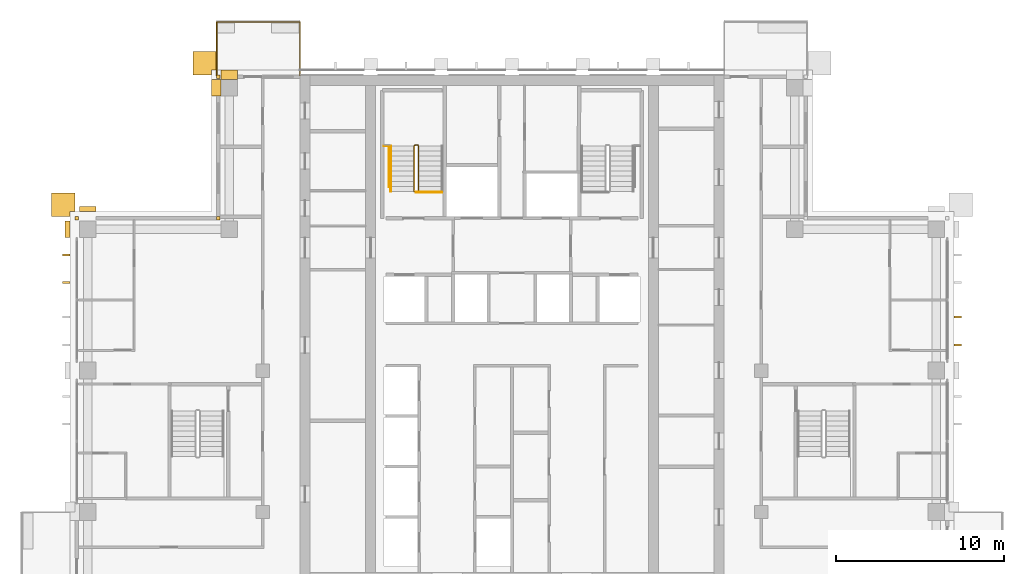
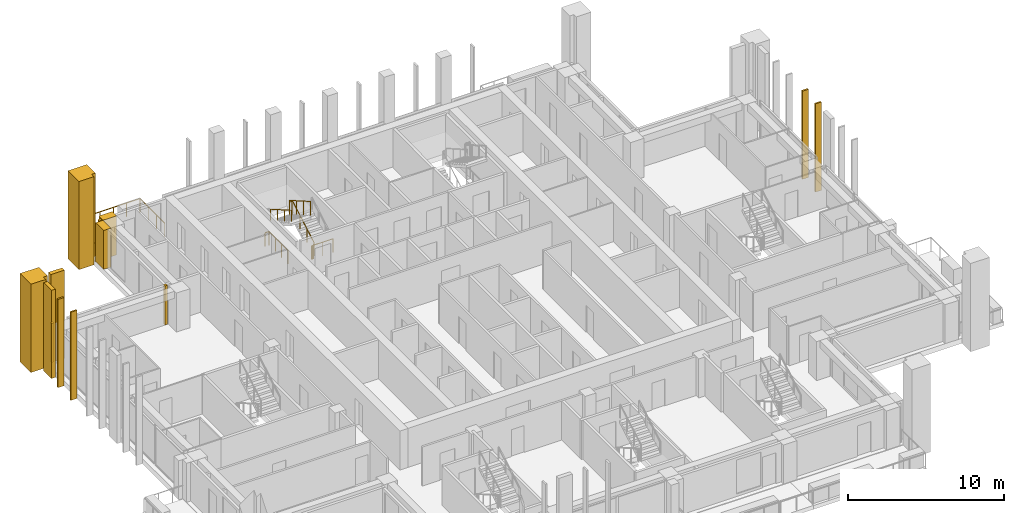
# One storey, part 17 of 18: 13 coverings, 5 railings.
"""IFC4 building model written with IfcOpenShell, lengths in metres."""

from ifc_helpers import new_model, si_unit, direction, frame, origin, origin_2d, place, context, subcontext, project, spatial, polyline, rectangle, outline, extrude, material, layer, layer_set, type_object, element, save


model = new_model("IFC4")

# Units and contexts
model_context = context("Model", 3, precision=1e-05, world=origin(), true_north=direction((0.0, 1.0)))
body_context = subcontext(model_context, "Body", "Model", "MODEL_VIEW")
ifc_project = project(units=[si_unit("LENGTHUNIT", "METRE"), si_unit("AREAUNIT", "SQUARE_METRE"), si_unit("VOLUMEUNIT", "CUBIC_METRE"), si_unit("PLANEANGLEUNIT", "RADIAN"), si_unit("MASSUNIT", "GRAM", prefix="KILO")], contexts=[model_context])

# Site, building, storey
site_placement = place(None, origin())
site = spatial("IfcSite", under=ifc_project, at=site_placement, CompositionType="ELEMENT")
building_placement = place(site_placement, origin())
building = spatial("IfcBuilding", under=site, at=building_placement, Name="Vermilion Ogive Tower", CompositionType="ELEMENT")
storey_placement = place(building_placement, frame((0.0, 0.0, 185.89990234375)))
storey = spatial("IfcBuildingStorey", under=building, at=storey_placement, Name="L48", CompositionType="ELEMENT", Elevation=185.89990234375)

# Railing
ifc_material_1 = material(Name="Stainless steel and glass", Category="steel")
railing_type_1 = type_object("IfcRailingType", Name="Balcony guard", PredefinedType="GUARDRAIL", material=ifc_material_1)
railing_1_placement = place(storey_placement, frame((-12.60009765625, 21.75, -0.039794921875)))
element("IfcRailing", 1, at=railing_1_placement, inside=storey, type_object=railing_type_1, Name="Guard N201", PredefinedType="GUARDRAIL", context=body_context, shape_type="SweptSolid", body=[
    extrude(rectangle(XDim=0.048095703125, YDim=0.048095703125, at=origin_2d()), frame((0.0, 0.0, 1.076171875), z_axis=(0.0, 1.0, 0.0), x_axis=(-1.0, 0.0, 0.0)), (0.0, 0.0, 1.0), 3.159912109375),
    extrude(rectangle(XDim=0.048095703125, YDim=0.048095703125, at=origin_2d()), frame((0.0, 3.159912109375, 1.076171875), z_axis=(-1.0, 0.0, 0.0), x_axis=(0.0, -1.0, 0.0)), (0.0, 0.0, 1.0), 4.949951171875),
    extrude(rectangle(XDim=0.048095703125, YDim=0.048095703125, at=origin_2d()), frame((-4.949951171875, 3.159912109375, 1.076171875), z_axis=(0.0, -1.0, 0.0), x_axis=(1.0, 0.0, 0.0)), (0.0, 0.0, 1.0), 3.159912109375),
    extrude(rectangle(XDim=0.0419921875, YDim=0.0419921875, at=origin_2d()), origin(), (0.0, 0.0, 1.0), 1.052001953125),
    extrude(rectangle(XDim=0.0419921875, YDim=0.0419921875, at=origin_2d()), frame((0.0, 1.05322265625, 0.0)), (0.0, 0.0, 1.0), 1.052001953125),
    extrude(rectangle(XDim=0.0419921875, YDim=0.0419921875, at=origin_2d()), frame((0.0, 2.106689453125, 0.0)), (0.0, 0.0, 1.0), 1.052001953125),
    extrude(rectangle(XDim=0.0419921875, YDim=0.0419921875, at=origin_2d()), frame((0.0, 3.159912109375, 0.0)), (0.0, 0.0, 1.0), 1.052001953125),
    extrude(rectangle(XDim=0.0419921875, YDim=0.0419921875, at=origin_2d()), frame((-0.989990234375, 3.159912109375, 0.0)), (0.0, 0.0, 1.0), 1.052001953125),
    extrude(rectangle(XDim=0.0419921875, YDim=0.0419921875, at=origin_2d()), frame((-1.97998046875, 3.159912109375, 0.0)), (0.0, 0.0, 1.0), 1.052001953125),
    extrude(rectangle(XDim=0.0419921875, YDim=0.0419921875, at=origin_2d()), frame((-2.969970703125, 3.159912109375, 0.0)), (0.0, 0.0, 1.0), 1.052001953125),
    extrude(rectangle(XDim=0.0419921875, YDim=0.0419921875, at=origin_2d()), frame((-3.9599609375, 3.159912109375, 0.0)), (0.0, 0.0, 1.0), 1.052001953125),
    extrude(rectangle(XDim=0.0419921875, YDim=0.0419921875, at=origin_2d()), frame((-4.949951171875, 3.159912109375, 0.0)), (0.0, 0.0, 1.0), 1.052001953125),
    extrude(rectangle(XDim=0.0419921875, YDim=0.0419921875, at=origin_2d()), frame((-4.949951171875, 2.106689453125, 0.0)), (0.0, 0.0, 1.0), 1.052001953125),
    extrude(rectangle(XDim=0.0419921875, YDim=0.0419921875, at=origin_2d()), frame((-4.949951171875, 1.05322265625, 0.0)), (0.0, 0.0, 1.0), 1.052001953125),
    extrude(rectangle(XDim=0.0419921875, YDim=0.0419921875, at=origin_2d()), frame((-4.949951171875, 0.0, 0.0)), (0.0, 0.0, 1.0), 1.052001953125),
])

# Coverings
ifc_material_2 = material(Name="Glazed ceramic screen")
ifc_layer = layer(ifc_material_2, 0.14990234375)
ifc_layer_set = layer_set([ifc_layer], Name="Ceramic solar screen fin")
covering_type_1 = type_object("IfcCoveringType", Name="Ceramic solar screen fin", PredefinedType="CLADDING", material=ifc_layer_set)
covering_1_placement = place(storey_placement, frame((0.0, 0.0, -0.39990234375)))
element("IfcCovering", 2, at=covering_1_placement, inside=storey, type_object=covering_type_1, Name="Solar screen blade E011", PredefinedType="CLADDING", context=body_context, shape_type="SweptSolid", body=[
    extrude(outline(polyline([(26.699951171875, 5.6650390625), (26.699951171875, 5.784912109375), (26.25, 5.784912109375), (26.25, 5.6650390625), (26.699951171875, 5.6650390625)])), origin(), (0.0, 0.0, 1.0), 6.89990234375),
])
covering_2_placement = place(storey_placement, frame((0.0, 0.0, -0.39990234375)))
element("IfcCovering", 3, at=covering_2_placement, inside=storey, type_object=covering_type_1, Name="Solar screen blade E012", PredefinedType="CLADDING", context=body_context, shape_type="SweptSolid", body=[
    extrude(outline(polyline([(26.699951171875, 7.31494140625), (26.699951171875, 7.43505859375), (26.25, 7.43505859375), (26.25, 7.31494140625), (26.699951171875, 7.31494140625)])), origin(), (0.0, 0.0, 1.0), 6.89990234375),
])
covering_3_placement = place(storey_placement, frame((0.0, 0.0, -0.39990234375)))
element("IfcCovering", 4, at=covering_3_placement, inside=storey, type_object=covering_type_1, Name="Solar screen blade W021", PredefinedType="CLADDING", context=body_context, shape_type="SweptSolid", body=[
    extrude(outline(polyline([(-26.699951171875, 11.135009765625), (-26.699951171875, 11.014892578125), (-26.25, 11.014892578125), (-26.25, 11.135009765625), (-26.699951171875, 11.135009765625)])), origin(), (0.0, 0.0, 1.0), 6.89990234375),
])
covering_4_placement = place(storey_placement, frame((0.0, 0.0, -0.39990234375)))
element("IfcCovering", 5, at=covering_4_placement, inside=storey, type_object=covering_type_1, Name="Solar screen blade W022", PredefinedType="CLADDING", context=body_context, shape_type="SweptSolid", body=[
    extrude(outline(polyline([(-26.699951171875, 9.485107421875), (-26.699951171875, 9.364990234375), (-26.25, 9.364990234375), (-26.25, 9.485107421875), (-26.699951171875, 9.485107421875)])), origin(), (0.0, 0.0, 1.0), 6.89990234375),
])

# Railings
ifc_material_3 = material(Name="Steel S355 painted", Category="steel")
railing_type_2 = type_object("IfcRailingType", Name="Stair guard 1100", PredefinedType="GUARDRAIL", material=ifc_material_3)
railing_2_placement = place(storey_placement, frame((-5.75, 14.800048828125, 0.0)))
element("IfcRailing", 6, at=railing_2_placement, inside=storey, type_object=railing_type_2, Name="L48 ST1 stair guard 4", PredefinedType="GUARDRAIL", context=body_context, shape_type="SweptSolid", body=[
    extrude(rectangle(XDim=0.048095703125, YDim=0.048095703125, at=origin_2d()), frame((0.0, 0.0, 1.076171875), z_axis=(1.0, 0.0, 0.0), x_axis=(0.0, 1.0, 0.0)), (0.0, 0.0, 1.0), 0.14990234375),
    extrude(rectangle(XDim=0.048095703125, YDim=0.048095703125, at=origin_2d()), frame((0.14990234375, 0.0, 1.076171875), z_axis=(0.268277960024, 0.268277960024, 0.925231793839), x_axis=(-0.707106781187, 0.707106781187, 0.0)), (0.0, 0.0, 1.0), 0.1865234375),
    extrude(rectangle(XDim=0.048095703125, YDim=0.048095703125, at=origin_2d()), frame((0.199951171875, 0.050048828125, 1.24853515625), z_axis=(0.0, 0.866903762492, 0.498475542607), x_axis=(-1.0, 0.0, 0.0)), (0.0, 0.0, 1.0), 3.114501953125),
    extrude(rectangle(XDim=0.048095703125, YDim=0.048095703125, at=origin_2d()), frame((0.199951171875, 2.75, 2.80126953125), z_axis=(-0.707106781187, 0.707106781187, 0.0), x_axis=(-0.707106781187, -0.707106781187, 0.0)), (0.0, 0.0, 1.0), 0.07080078125),
    extrude(rectangle(XDim=0.048095703125, YDim=0.048095703125, at=origin_2d()), frame((0.14990234375, 2.800048828125, 2.80126953125), z_axis=(-1.0, 0.0, 0.0), x_axis=(0.0, -1.0, 0.0)), (0.0, 0.0, 1.0), 0.14990234375),
    extrude(rectangle(XDim=0.048095703125, YDim=0.048095703125, at=origin_2d()), frame((0.0, 2.800048828125, 2.80126953125), z_axis=(-0.268277960024, -0.268277960024, 0.925231793839), x_axis=(0.707106781187, -0.707106781187, 0.0)), (0.0, 0.0, 1.0), 0.1865234375),
    extrude(rectangle(XDim=0.048095703125, YDim=0.048095703125, at=origin_2d()), frame((-0.050048828125, 2.75, 2.9736328125), z_axis=(0.0, -0.866903762492, 0.498475542607), x_axis=(1.0, 0.0, 0.0)), (0.0, 0.0, 1.0), 3.114501953125),
    extrude(rectangle(XDim=0.0419921875, YDim=0.0419921875, at=origin_2d()), origin(), (0.0, 0.0, 1.0), 1.052001953125),
    extrude(rectangle(XDim=0.0419921875, YDim=0.0419921875, at=origin_2d()), frame((0.14990234375, 0.0, 0.0)), (0.0, 0.0, 1.0), 1.052001953125),
    extrude(rectangle(XDim=0.0419921875, YDim=0.0419921875, at=origin_2d()), frame((0.199951171875, 0.050048828125, 0.172607421875)), (0.0, 0.0, 1.0), 1.052001953125),
    extrude(rectangle(XDim=0.0419921875, YDim=0.0419921875, at=origin_2d()), frame((0.199951171875, 0.949951171875, 0.690185546875)), (0.0, 0.0, 1.0), 1.052001953125),
    extrude(rectangle(XDim=0.0419921875, YDim=0.0419921875, at=origin_2d()), frame((0.199951171875, 1.85009765625, 1.20751953125)), (0.0, 0.0, 1.0), 1.052001953125),
    extrude(rectangle(XDim=0.0419921875, YDim=0.0419921875, at=origin_2d()), frame((0.199951171875, 2.75, 1.72509765625)), (0.0, 0.0, 1.0), 1.052001953125),
    extrude(rectangle(XDim=0.0419921875, YDim=0.0419921875, at=origin_2d()), frame((0.14990234375, 2.800048828125, 1.72509765625)), (0.0, 0.0, 1.0), 1.052001953125),
    extrude(rectangle(XDim=0.0419921875, YDim=0.0419921875, at=origin_2d()), frame((0.0, 2.800048828125, 1.72509765625)), (0.0, 0.0, 1.0), 1.052001953125),
    extrude(rectangle(XDim=0.0419921875, YDim=0.0419921875, at=origin_2d()), frame((-0.050048828125, 2.75, 1.897705078125)), (0.0, 0.0, 1.0), 1.052001953125),
    extrude(rectangle(XDim=0.0419921875, YDim=0.0419921875, at=origin_2d()), frame((-0.050048828125, 1.85009765625, 2.415283203125)), (0.0, 0.0, 1.0), 1.052001953125),
    extrude(rectangle(XDim=0.0419921875, YDim=0.0419921875, at=origin_2d()), frame((-0.050048828125, 0.949951171875, 2.9326171875)), (0.0, 0.0, 1.0), 1.052001953125),
    extrude(rectangle(XDim=0.0419921875, YDim=0.0419921875, at=origin_2d()), frame((-0.050048828125, 0.050048828125, 3.4501953125)), (0.0, 0.0, 1.0), 1.052001953125),
])
railing_3_placement = place(storey_placement, frame((-4.159912109375, 14.7900390625, 0.0)))
element("IfcRailing", 7, at=railing_3_placement, inside=storey, type_object=railing_type_2, Name="L48 stair opening guard", PredefinedType="GUARDRAIL", context=body_context, shape_type="SweptSolid", body=[
    extrude(rectangle(XDim=0.048095703125, YDim=0.048095703125, at=origin_2d()), frame((0.0, 0.0, 1.076171875), z_axis=(-1.0, 0.0, 0.0), x_axis=(0.0, -1.0, 0.0)), (0.0, 0.0, 1.0), 1.5400390625),
    extrude(rectangle(XDim=0.0419921875, YDim=0.0419921875, at=origin_2d()), origin(), (0.0, 0.0, 1.0), 1.052001953125),
    extrude(rectangle(XDim=0.0419921875, YDim=0.0419921875, at=origin_2d()), frame((-0.77001953125, 0.0, 0.0)), (0.0, 0.0, 1.0), 1.052001953125),
    extrude(rectangle(XDim=0.0419921875, YDim=0.0419921875, at=origin_2d()), frame((-1.5400390625, 0.0, 0.0)), (0.0, 0.0, 1.0), 1.052001953125),
])
railing_4_placement = place(storey_placement, frame((-7.3095703125, 15.11865234375, 0.0)))
element("IfcRailing", 8, at=railing_4_placement, inside=storey, type_object=railing_type_2, Name="L48 stair opening guard", PredefinedType="GUARDRAIL", context=body_context, shape_type="SweptSolid", body=[
    extrude(rectangle(XDim=0.048095703125, YDim=0.048095703125, at=origin_2d()), frame((0.0, 0.0, 1.076171875), z_axis=(0.0, 1.0, 0.0), x_axis=(-1.0, 0.0, 0.0)), (0.0, 0.0, 1.0), 2.42431640625),
    extrude(rectangle(XDim=0.048095703125, YDim=0.048095703125, at=origin_2d()), frame((0.0, 2.42431640625, 1.076171875), z_axis=(-1.0, 0.0, 0.0), x_axis=(0.0, -1.0, 0.0)), (0.0, 0.0, 1.0), 0.2900390625),
    extrude(rectangle(XDim=0.0419921875, YDim=0.0419921875, at=origin_2d()), origin(), (0.0, 0.0, 1.0), 1.052001953125),
    extrude(rectangle(XDim=0.0419921875, YDim=0.0419921875, at=origin_2d()), frame((0.0, 0.80810546875, 0.0)), (0.0, 0.0, 1.0), 1.052001953125),
    extrude(rectangle(XDim=0.0419921875, YDim=0.0419921875, at=origin_2d()), frame((0.0, 1.6162109375, 0.0)), (0.0, 0.0, 1.0), 1.052001953125),
    extrude(rectangle(XDim=0.0419921875, YDim=0.0419921875, at=origin_2d()), frame((0.0, 2.42431640625, 0.0)), (0.0, 0.0, 1.0), 1.052001953125),
    extrude(rectangle(XDim=0.0419921875, YDim=0.0419921875, at=origin_2d()), frame((-0.2900390625, 2.42431640625, 0.0)), (0.0, 0.0, 1.0), 1.052001953125),
])
ifc_material_4 = material(Name="Stainless steel", Category="steel")
railing_type_3 = type_object("IfcRailingType", Name="Stair handrail 900", PredefinedType="HANDRAIL", material=ifc_material_4)
railing_5_placement = place(storey_placement, frame((-7.199951171875, 17.550048828125, 1.897705078125)))
element("IfcRailing", 9, at=railing_5_placement, inside=storey, type_object=railing_type_3, Name="L48 ST1 stair handrail 2", PredefinedType="HANDRAIL", context=body_context, shape_type="SweptSolid", body=[
    extrude(rectangle(XDim=0.048095703125, YDim=0.048095703125, at=origin_2d()), frame((0.0, 0.0, 0.8759765625), z_axis=(0.0, -0.866903762492, 0.498475542607), x_axis=(1.0, 0.0, 0.0)), (0.0, 0.0, 1.0), 3.114501953125),
    extrude(rectangle(XDim=0.0419921875, YDim=0.0419921875, at=origin_2d()), origin(), (0.0, 0.0, 1.0), 0.851806640625),
    extrude(rectangle(XDim=0.0419921875, YDim=0.0419921875, at=origin_2d()), frame((0.0, -0.89990234375, 0.517578125)), (0.0, 0.0, 1.0), 0.851806640625),
    extrude(rectangle(XDim=0.0419921875, YDim=0.0419921875, at=origin_2d()), frame((0.0, -1.800048828125, 1.034912109375)), (0.0, 0.0, 1.0), 0.851806640625),
    extrude(rectangle(XDim=0.0419921875, YDim=0.0419921875, at=origin_2d()), frame((0.0, -2.699951171875, 1.552490234375)), (0.0, 0.0, 1.0), 0.851806640625),
])

# Coverings
ifc_material_5 = material(Name="Stone cladding", Category="masonry")
covering_type_2 = type_object("IfcCoveringType", Name="Stone corner buttress", PredefinedType="CLADDING", material=ifc_material_5)
covering_5_placement = place(storey_placement, frame((0.0, 0.0, -0.39990234375)))
element("IfcCovering", 10, at=covering_5_placement, inside=storey, type_object=covering_type_2, Name="Stone corner buttress X51", PredefinedType="CLADDING", context=body_context, shape_type="SweptSolid", body=[
    extrude(outline(polyline([(-17.550048828125, 23.14990234375), (-17.550048828125, 22.050048828125), (-17.85009765625, 22.050048828125), (-17.85009765625, 21.75), (-18.949951171875, 21.75), (-18.949951171875, 23.14990234375), (-17.550048828125, 23.14990234375)])), origin(), (0.0, 0.0, 1.0), 6.89990234375),
])
covering_6_placement = place(storey_placement, frame((0.0, 0.0, -0.39990234375)))
element("IfcCovering", 11, at=covering_6_placement, inside=storey, type_object=covering_type_2, Name="Stone corner buttress W1", PredefinedType="CLADDING", context=body_context, shape_type="SweptSolid", body=[
    extrude(outline(polyline([(-25.949951171875, 13.64990234375), (-26.25, 13.64990234375), (-26.25, 13.35009765625), (-27.35009765625, 13.35009765625), (-27.35009765625, 14.75), (-25.949951171875, 14.75), (-25.949951171875, 13.64990234375)])), origin(), (0.0, 0.0, 1.0), 6.89990234375),
])
ifc_material_6 = material(Name="Stone cladding", Category="masonry")
covering_type_3 = type_object("IfcCoveringType", Name="Stone pier", PredefinedType="CLADDING", material=ifc_material_6)
covering_7_placement = place(storey_placement, origin())
element("IfcCovering", 12, at=covering_7_placement, inside=storey, type_object=covering_type_3, Name="Stone corner pier N2E1", PredefinedType="CLADDING", context=body_context, shape_type="SweptSolid", body=[
    extrude(outline(polyline([(-17.35009765625, 21.550048828125), (-17.550048828125, 21.550048828125), (-17.550048828125, 21.75), (-17.35009765625, 21.75), (-17.35009765625, 21.550048828125)])), origin(), (0.0, 0.0, 1.0), 3.050048828125),
])
covering_8_placement = place(storey_placement, origin())
element("IfcCovering", 13, at=covering_8_placement, inside=storey, type_object=covering_type_3, Name="Stone corner pier X5E1", PredefinedType="CLADDING", context=body_context, shape_type="SweptSolid", body=[
    extrude(outline(polyline([(-17.35009765625, 13.14990234375), (-17.550048828125, 13.14990234375), (-17.550048828125, 13.35009765625), (-17.35009765625, 13.35009765625), (-17.35009765625, 13.14990234375)])), origin(), (0.0, 0.0, 1.0), 3.050048828125),
])
covering_9_placement = place(storey_placement, origin())
element("IfcCovering", 14, at=covering_9_placement, inside=storey, type_object=covering_type_3, Name="Stone corner pier X6E1", PredefinedType="CLADDING", context=body_context, shape_type="SweptSolid", body=[
    extrude(outline(polyline([(-25.75, 13.14990234375), (-25.949951171875, 13.14990234375), (-25.949951171875, 13.35009765625), (-25.75, 13.35009765625), (-25.75, 13.14990234375)])), origin(), (0.0, 0.0, 1.0), 3.050048828125),
])
covering_10_placement = place(storey_placement, frame((0.0, 0.0, -0.39990234375)))
element("IfcCovering", 15, at=covering_10_placement, inside=storey, type_object=covering_type_3, Name="Stone pier P-0252+126X6", PredefinedType="CLADDING", context=body_context, shape_type="SweptSolid", body=[
    extrude(outline(polyline([(-25.699951171875, 13.949951171875), (-24.699951171875, 13.949951171875), (-24.699951171875, 13.64990234375), (-25.699951171875, 13.64990234375), (-25.699951171875, 13.949951171875)])), origin(), (0.0, 0.0, 1.0), 6.89990234375),
])
covering_11_placement = place(storey_placement, frame((0.0, 0.0, -0.39990234375)))
element("IfcCovering", 16, at=covering_11_placement, inside=storey, type_object=covering_type_3, Name="Stone pier P-0252+126W", PredefinedType="CLADDING", context=body_context, shape_type="SweptSolid", body=[
    extrude(outline(polyline([(-26.550048828125, 13.10009765625), (-26.25, 13.10009765625), (-26.25, 12.10009765625), (-26.550048828125, 12.10009765625), (-26.550048828125, 13.10009765625)])), origin(), (0.0, 0.0, 1.0), 6.89990234375),
])
covering_12_placement = place(storey_placement, origin())
element("IfcCovering", 17, at=covering_12_placement, inside=storey, type_object=covering_type_3, Name="Stone pier P-0168+210N2", PredefinedType="CLADDING", context=body_context, shape_type="SweptSolid", body=[
    extrude(outline(polyline([(-17.300048828125, 21.5), (-17.300048828125, 22.050048828125), (-16.300048828125, 22.050048828125), (-16.300048828125, 21.5), (-17.300048828125, 21.5), (-17.300048828125, 21.5)])), origin(), (0.0, 0.0, 1.0), 3.050048828125),
])
covering_13_placement = place(storey_placement, origin())
element("IfcCovering", 18, at=covering_13_placement, inside=storey, type_object=covering_type_3, Name="Stone pier P-0168+210X5", PredefinedType="CLADDING", context=body_context, shape_type="SweptSolid", body=[
    extrude(outline(polyline([(-17.85009765625, 21.5), (-17.300048828125, 21.5), (-17.300048828125, 21.5), (-17.300048828125, 20.5), (-17.85009765625, 20.5), (-17.85009765625, 21.5)])), origin(), (0.0, 0.0, 1.0), 3.050048828125),
])

save(model, "model.ifc")
